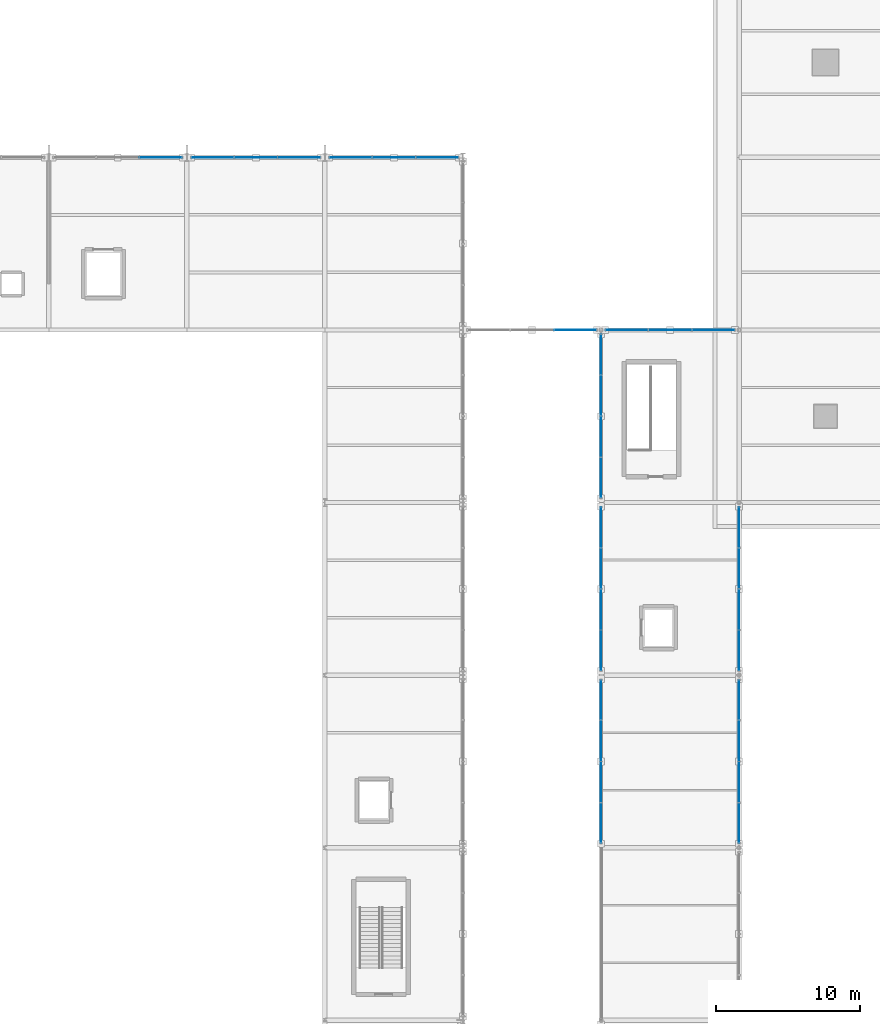
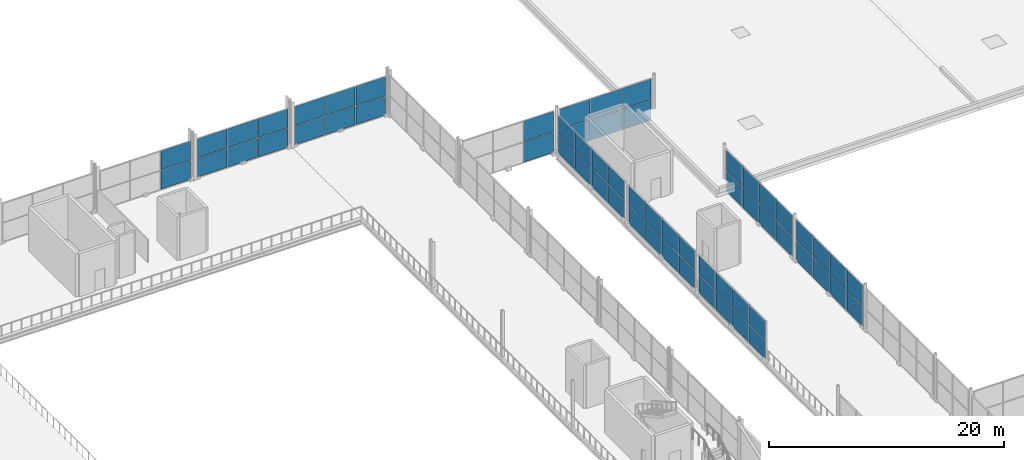
# One storey, part 124 of 159: 62 plates, 10 elements without a shape of their own.
"""IFC4 building model written with IfcOpenShell, lengths in metres."""

from ifc_helpers import new_model, si_unit, direction, frame, origin, origin_2d, place, context, subcontext, project, spatial, rectangle, extrude, material, layer, layer_set, type_object, element, aggregate, save


model = new_model("IFC4")

# Units and contexts
model_context = context("Model", 3, precision=1e-05, world=origin(), true_north=direction((0.0, 1.0)))
body_context = subcontext(model_context, "Body", "Model", "MODEL_VIEW")
ifc_project = project(units=[si_unit("LENGTHUNIT", "METRE"), si_unit("AREAUNIT", "SQUARE_METRE"), si_unit("VOLUMEUNIT", "CUBIC_METRE"), si_unit("PLANEANGLEUNIT", "RADIAN"), si_unit("MASSUNIT", "GRAM", prefix="KILO")], contexts=[model_context])

# Site, building, storey
site_placement = place(None, origin())
site = spatial("IfcSite", under=ifc_project, at=site_placement, CompositionType="ELEMENT")
building_placement = place(site_placement, origin())
building = spatial("IfcBuilding", under=site, at=building_placement, Name="Merenkruunu Market Hall", CompositionType="ELEMENT")
storey_placement = place(building_placement, frame((0.0, 0.0, 5.39990234375)))
storey = spatial("IfcBuildingStorey", under=building, at=storey_placement, Name="L01", CompositionType="ELEMENT", Elevation=5.39990234375)

# Curtain wall, plates
ifc_material_1 = material(Name="Powder-coated aluminium", Category="aluminium")
curtain_wall_type_1 = type_object("IfcCurtainWallType", Name="Glazed Curtain Wall CW03", PredefinedType="USERDEFINED", material=ifc_material_1)
curtain_wall_1_placement = place(storey_placement, origin())
curtain_wall_1 = element("IfcCurtainWall", 1, at=curtain_wall_1_placement, inside=storey, type_object=curtain_wall_type_1, Name="CW-L01-CWM03-143", ObjectType="GLAZED_FACADE", PredefinedType="USERDEFINED")
ifc_material_2 = material(Name="Triple low-E insulated glass", Category="glass")
ifc_layer_1 = layer(ifc_material_2, 0.035888671875)
ifc_layer_set_1 = layer_set([ifc_layer_1], Name="Triple low-E insulated glass")
plate_type_1 = type_object("IfcPlateType", Name="Curtain Wall Glazing Panel CWP01", PredefinedType="CURTAIN_PANEL", material=ifc_layer_set_1)
plate_1_placement = place(storey_placement, frame((65.3984375, 99.60009765625, 0.06005859375), z_axis=(0.0, 0.0, 1.0), x_axis=(1.0, 0.0, 0.0)))
plate_1 = element("IfcPlate", 2, at=plate_1_placement, type_object=plate_type_1, Name="CW03 panel 3.1", PredefinedType="CURTAIN_PANEL", context=body_context, shape_type="SweptSolid", body=[
    extrude(rectangle(XDim=2.92333984375, YDim=0.035888671875, at=origin_2d()), origin(), (0.0, 0.0, 1.0), 2.110107421875),
])
plate_2_placement = place(storey_placement, frame((65.3984375, 99.60009765625, 2.22998046875), z_axis=(0.0, 0.0, 1.0), x_axis=(1.0, 0.0, 0.0)))
plate_2 = element("IfcPlate", 3, at=plate_2_placement, type_object=plate_type_1, Name="CW03 panel 3.2", PredefinedType="CURTAIN_PANEL", context=body_context, shape_type="SweptSolid", body=[
    extrude(rectangle(XDim=2.92333984375, YDim=0.035888671875, at=origin_2d()), origin(), (0.0, 0.0, 1.0), 2.110107421875),
])
aggregate(curtain_wall_1, [plate_1, plate_2])

curtain_wall_2_placement = place(storey_placement, origin())
curtain_wall_2 = element("IfcCurtainWall", 4, at=curtain_wall_2_placement, inside=storey, type_object=curtain_wall_type_1, Name="CW-L01-CWM03-149", ObjectType="GLAZED_FACADE", PredefinedType="USERDEFINED")
plate_3_placement = place(storey_placement, frame((69.001708984375, 99.60009765625, 0.06005859375), z_axis=(0.0, 0.0, 1.0), x_axis=(1.0, 0.0, 0.0)))
plate_3 = element("IfcPlate", 5, at=plate_3_placement, type_object=plate_type_1, Name="CW03 panel 1.1", PredefinedType="CURTAIN_PANEL", context=body_context, shape_type="SweptSolid", body=[
    extrude(rectangle(XDim=2.92333984375, YDim=0.035888671875, at=origin_2d()), origin(), (0.0, 0.0, 1.0), 2.110107421875),
])
plate_4_placement = place(storey_placement, frame((69.001708984375, 99.60009765625, 2.22998046875), z_axis=(0.0, 0.0, 1.0), x_axis=(1.0, 0.0, 0.0)))
plate_4 = element("IfcPlate", 6, at=plate_4_placement, type_object=plate_type_1, Name="CW03 panel 1.2", PredefinedType="CURTAIN_PANEL", context=body_context, shape_type="SweptSolid", body=[
    extrude(rectangle(XDim=2.92333984375, YDim=0.035888671875, at=origin_2d()), origin(), (0.0, 0.0, 1.0), 2.110107421875),
])
plate_5_placement = place(storey_placement, frame((72.0, 99.60009765625, 0.06005859375), z_axis=(0.0, 0.0, 1.0), x_axis=(1.0, 0.0, 0.0)))
plate_5 = element("IfcPlate", 7, at=plate_5_placement, type_object=plate_type_1, Name="CW03 panel 2.1", PredefinedType="CURTAIN_PANEL", context=body_context, shape_type="SweptSolid", body=[
    extrude(rectangle(XDim=2.953369140625, YDim=0.035888671875, at=origin_2d()), origin(), (0.0, 0.0, 1.0), 2.110107421875),
])
plate_6_placement = place(storey_placement, frame((72.0, 99.60009765625, 2.22998046875), z_axis=(0.0, 0.0, 1.0), x_axis=(1.0, 0.0, 0.0)))
plate_6 = element("IfcPlate", 8, at=plate_6_placement, type_object=plate_type_1, Name="CW03 panel 2.2", PredefinedType="CURTAIN_PANEL", context=body_context, shape_type="SweptSolid", body=[
    extrude(rectangle(XDim=2.953369140625, YDim=0.035888671875, at=origin_2d()), origin(), (0.0, 0.0, 1.0), 2.110107421875),
])
plate_7_placement = place(storey_placement, frame((74.998291015625, 99.60009765625, 0.06005859375), z_axis=(0.0, 0.0, 1.0), x_axis=(1.0, 0.0, 0.0)))
plate_7 = element("IfcPlate", 9, at=plate_7_placement, type_object=plate_type_1, Name="CW03 panel 3.1", PredefinedType="CURTAIN_PANEL", context=body_context, shape_type="SweptSolid", body=[
    extrude(rectangle(XDim=2.92333984375, YDim=0.035888671875, at=origin_2d()), origin(), (0.0, 0.0, 1.0), 2.110107421875),
])
plate_8_placement = place(storey_placement, frame((74.998291015625, 99.60009765625, 2.22998046875), z_axis=(0.0, 0.0, 1.0), x_axis=(1.0, 0.0, 0.0)))
plate_8 = element("IfcPlate", 10, at=plate_8_placement, type_object=plate_type_1, Name="CW03 panel 3.2", PredefinedType="CURTAIN_PANEL", context=body_context, shape_type="SweptSolid", body=[
    extrude(rectangle(XDim=2.92333984375, YDim=0.035888671875, at=origin_2d()), origin(), (0.0, 0.0, 1.0), 2.110107421875),
])
aggregate(curtain_wall_2, [plate_3, plate_4, plate_5, plate_6, plate_7, plate_8])

curtain_wall_type_2 = type_object("IfcCurtainWallType", Name="Glazed Curtain Wall CW09", PredefinedType="USERDEFINED", material=ifc_material_1)
curtain_wall_3_placement = place(storey_placement, origin())
curtain_wall_3 = element("IfcCurtainWall", 11, at=curtain_wall_3_placement, inside=storey, type_object=curtain_wall_type_2, Name="CW-L01-CWM02-060", ObjectType="GLAZED_FACADE", PredefinedType="USERDEFINED")
ifc_layer_2 = layer(ifc_material_2, 0.035888671875)
ifc_layer_set_2 = layer_set([ifc_layer_2], Name="Triple low-E insulated glass")
plate_type_2 = type_object("IfcPlateType", Name="Curtain Wall Glazing Panel CWP02", PredefinedType="CURTAIN_PANEL", material=ifc_layer_set_2)
plate_9_placement = place(storey_placement, frame((36.598388671875, 111.60009765625, 0.06005859375), z_axis=(0.0, 0.0, 1.0), x_axis=(1.0, 0.0, 0.0)))
plate_9 = element("IfcPlate", 12, at=plate_9_placement, type_object=plate_type_2, Name="CW09 panel 3.1", PredefinedType="CURTAIN_PANEL", context=body_context, shape_type="SweptSolid", body=[
    extrude(rectangle(XDim=2.92333984375, YDim=0.035888671875, at=origin_2d()), origin(), (0.0, 0.0, 1.0), 1.9599609375),
])
plate_10_placement = place(storey_placement, frame((36.598388671875, 111.60009765625, 2.080078125), z_axis=(0.0, 0.0, 1.0), x_axis=(1.0, 0.0, 0.0)))
plate_10 = element("IfcPlate", 13, at=plate_10_placement, type_object=plate_type_2, Name="CW09 panel 3.2", PredefinedType="CURTAIN_PANEL", context=body_context, shape_type="SweptSolid", body=[
    extrude(rectangle(XDim=2.92333984375, YDim=0.035888671875, at=origin_2d()), origin(), (0.0, 0.0, 1.0), 1.9599609375),
])
aggregate(curtain_wall_3, [plate_9, plate_10])

curtain_wall_4_placement = place(storey_placement, origin())
curtain_wall_4 = element("IfcCurtainWall", 14, at=curtain_wall_4_placement, inside=storey, type_object=curtain_wall_type_2, Name="CW-L01-CWM02-063", ObjectType="GLAZED_FACADE", PredefinedType="USERDEFINED")
plate_11_placement = place(storey_placement, frame((40.20166015625, 111.60009765625, 0.06005859375), z_axis=(0.0, 0.0, 1.0), x_axis=(1.0, 0.0, 0.0)))
plate_11 = element("IfcPlate", 15, at=plate_11_placement, type_object=plate_type_2, Name="CW09 panel 1.1", PredefinedType="CURTAIN_PANEL", context=body_context, shape_type="SweptSolid", body=[
    extrude(rectangle(XDim=2.92333984375, YDim=0.035888671875, at=origin_2d()), origin(), (0.0, 0.0, 1.0), 1.9599609375),
])
plate_12_placement = place(storey_placement, frame((40.20166015625, 111.60009765625, 2.080078125), z_axis=(0.0, 0.0, 1.0), x_axis=(1.0, 0.0, 0.0)))
plate_12 = element("IfcPlate", 16, at=plate_12_placement, type_object=plate_type_2, Name="CW09 panel 1.2", PredefinedType="CURTAIN_PANEL", context=body_context, shape_type="SweptSolid", body=[
    extrude(rectangle(XDim=2.92333984375, YDim=0.035888671875, at=origin_2d()), origin(), (0.0, 0.0, 1.0), 1.9599609375),
])
plate_13_placement = place(storey_placement, frame((43.199951171875, 111.60009765625, 0.06005859375), z_axis=(0.0, 0.0, 1.0), x_axis=(1.0, 0.0, 0.0)))
plate_13 = element("IfcPlate", 17, at=plate_13_placement, type_object=plate_type_2, Name="CW09 panel 2.1", PredefinedType="CURTAIN_PANEL", context=body_context, shape_type="SweptSolid", body=[
    extrude(rectangle(XDim=2.953369140625, YDim=0.035888671875, at=origin_2d()), origin(), (0.0, 0.0, 1.0), 1.9599609375),
])
plate_14_placement = place(storey_placement, frame((43.199951171875, 111.60009765625, 2.080078125), z_axis=(0.0, 0.0, 1.0), x_axis=(1.0, 0.0, 0.0)))
plate_14 = element("IfcPlate", 18, at=plate_14_placement, type_object=plate_type_2, Name="CW09 panel 2.2", PredefinedType="CURTAIN_PANEL", context=body_context, shape_type="SweptSolid", body=[
    extrude(rectangle(XDim=2.953369140625, YDim=0.035888671875, at=origin_2d()), origin(), (0.0, 0.0, 1.0), 1.9599609375),
])
plate_15_placement = place(storey_placement, frame((46.1982421875, 111.60009765625, 0.06005859375), z_axis=(0.0, 0.0, 1.0), x_axis=(1.0, 0.0, 0.0)))
plate_15 = element("IfcPlate", 19, at=plate_15_placement, type_object=plate_type_2, Name="CW09 panel 3.1", PredefinedType="CURTAIN_PANEL", context=body_context, shape_type="SweptSolid", body=[
    extrude(rectangle(XDim=2.92333984375, YDim=0.035888671875, at=origin_2d()), origin(), (0.0, 0.0, 1.0), 1.9599609375),
])
plate_16_placement = place(storey_placement, frame((46.1982421875, 111.60009765625, 2.080078125), z_axis=(0.0, 0.0, 1.0), x_axis=(1.0, 0.0, 0.0)))
plate_16 = element("IfcPlate", 20, at=plate_16_placement, type_object=plate_type_2, Name="CW09 panel 3.2", PredefinedType="CURTAIN_PANEL", context=body_context, shape_type="SweptSolid", body=[
    extrude(rectangle(XDim=2.92333984375, YDim=0.035888671875, at=origin_2d()), origin(), (0.0, 0.0, 1.0), 1.9599609375),
])
aggregate(curtain_wall_4, [plate_11, plate_12, plate_13, plate_14, plate_15, plate_16])

curtain_wall_5_placement = place(storey_placement, origin())
curtain_wall_5 = element("IfcCurtainWall", 21, at=curtain_wall_5_placement, inside=storey, type_object=curtain_wall_type_2, Name="CW-L01-CWM02-065", ObjectType="GLAZED_FACADE", PredefinedType="USERDEFINED")
plate_17_placement = place(storey_placement, frame((49.8017578125, 111.60009765625, 0.06005859375), z_axis=(0.0, 0.0, 1.0), x_axis=(1.0, 0.0, 0.0)))
plate_17 = element("IfcPlate", 22, at=plate_17_placement, type_object=plate_type_2, Name="CW09 panel 1.1", PredefinedType="CURTAIN_PANEL", context=body_context, shape_type="SweptSolid", body=[
    extrude(rectangle(XDim=2.92333984375, YDim=0.035888671875, at=origin_2d()), origin(), (0.0, 0.0, 1.0), 1.9599609375),
])
plate_18_placement = place(storey_placement, frame((49.8017578125, 111.60009765625, 2.080078125), z_axis=(0.0, 0.0, 1.0), x_axis=(1.0, 0.0, 0.0)))
plate_18 = element("IfcPlate", 23, at=plate_18_placement, type_object=plate_type_2, Name="CW09 panel 1.2", PredefinedType="CURTAIN_PANEL", context=body_context, shape_type="SweptSolid", body=[
    extrude(rectangle(XDim=2.92333984375, YDim=0.035888671875, at=origin_2d()), origin(), (0.0, 0.0, 1.0), 1.9599609375),
])
plate_19_placement = place(storey_placement, frame((52.800048828125, 111.60009765625, 0.06005859375), z_axis=(0.0, 0.0, 1.0), x_axis=(1.0, 0.0, 0.0)))
plate_19 = element("IfcPlate", 24, at=plate_19_placement, type_object=plate_type_2, Name="CW09 panel 2.1", PredefinedType="CURTAIN_PANEL", context=body_context, shape_type="SweptSolid", body=[
    extrude(rectangle(XDim=2.953369140625, YDim=0.035888671875, at=origin_2d()), origin(), (0.0, 0.0, 1.0), 1.9599609375),
])
plate_20_placement = place(storey_placement, frame((52.800048828125, 111.60009765625, 2.080078125), z_axis=(0.0, 0.0, 1.0), x_axis=(1.0, 0.0, 0.0)))
plate_20 = element("IfcPlate", 25, at=plate_20_placement, type_object=plate_type_2, Name="CW09 panel 2.2", PredefinedType="CURTAIN_PANEL", context=body_context, shape_type="SweptSolid", body=[
    extrude(rectangle(XDim=2.953369140625, YDim=0.035888671875, at=origin_2d()), origin(), (0.0, 0.0, 1.0), 1.9599609375),
])
plate_21_placement = place(storey_placement, frame((55.79833984375, 111.60009765625, 0.06005859375), z_axis=(0.0, 0.0, 1.0), x_axis=(1.0, 0.0, 0.0)))
plate_21 = element("IfcPlate", 26, at=plate_21_placement, type_object=plate_type_2, Name="CW09 panel 3.1", PredefinedType="CURTAIN_PANEL", context=body_context, shape_type="SweptSolid", body=[
    extrude(rectangle(XDim=2.92333984375, YDim=0.035888671875, at=origin_2d()), origin(), (0.0, 0.0, 1.0), 1.9599609375),
])
plate_22_placement = place(storey_placement, frame((55.79833984375, 111.60009765625, 2.080078125), z_axis=(0.0, 0.0, 1.0), x_axis=(1.0, 0.0, 0.0)))
plate_22 = element("IfcPlate", 27, at=plate_22_placement, type_object=plate_type_2, Name="CW09 panel 3.2", PredefinedType="CURTAIN_PANEL", context=body_context, shape_type="SweptSolid", body=[
    extrude(rectangle(XDim=2.92333984375, YDim=0.035888671875, at=origin_2d()), origin(), (0.0, 0.0, 1.0), 1.9599609375),
])
aggregate(curtain_wall_5, [plate_17, plate_18, plate_19, plate_20, plate_21, plate_22])

curtain_wall_type_3 = type_object("IfcCurtainWallType", Name="Glazed Curtain Wall CW11", PredefinedType="USERDEFINED", material=ifc_material_1)
curtain_wall_6_placement = place(storey_placement, origin())
curtain_wall_6 = element("IfcCurtainWall", 28, at=curtain_wall_6_placement, inside=storey, type_object=curtain_wall_type_3, Name="CW-L01-CWM03-163", ObjectType="GLAZED_FACADE", PredefinedType="USERDEFINED")
ifc_layer_3 = layer(ifc_material_2, 0.0380859375)
ifc_layer_set_3 = layer_set([ifc_layer_3], Name="Triple low-E insulated glass")
plate_type_3 = type_object("IfcPlateType", Name="Curtain Wall Glazing Panel CWP04", PredefinedType="CURTAIN_PANEL", material=ifc_layer_set_3)
plate_23_placement = place(storey_placement, frame((76.800048828125, 73.875, 0.06005859375), z_axis=(0.0, 0.0, 1.0), x_axis=(0.0, -1.0, 0.0)))
plate_23 = element("IfcPlate", 29, at=plate_23_placement, type_object=plate_type_3, Name="CW11 panel 1.1", PredefinedType="CURTAIN_PANEL", context=body_context, shape_type="SweptSolid", body=[
    extrude(rectangle(XDim=2.77001953125, YDim=0.0380859375, at=origin_2d()), origin(), (0.0, 0.0, 1.0), 2.110107421875),
])
plate_24_placement = place(storey_placement, frame((76.800048828125, 73.875, 2.22998046875), z_axis=(0.0, 0.0, 1.0), x_axis=(0.0, -1.0, 0.0)))
plate_24 = element("IfcPlate", 30, at=plate_24_placement, type_object=plate_type_3, Name="CW11 panel 1.2", PredefinedType="CURTAIN_PANEL", context=body_context, shape_type="SweptSolid", body=[
    extrude(rectangle(XDim=2.77001953125, YDim=0.0380859375, at=origin_2d()), origin(), (0.0, 0.0, 1.0), 2.110107421875),
])
plate_25_placement = place(storey_placement, frame((76.800048828125, 71.030029296875, 0.06005859375), z_axis=(0.0, 0.0, 1.0), x_axis=(0.0, -1.0, 0.0)))
plate_25 = element("IfcPlate", 31, at=plate_25_placement, type_object=plate_type_3, Name="CW11 panel 2.1", PredefinedType="CURTAIN_PANEL", context=body_context, shape_type="SweptSolid", body=[
    extrude(rectangle(XDim=2.800048828125, YDim=0.0380859375, at=origin_2d()), origin(), (0.0, 0.0, 1.0), 2.110107421875),
])
plate_26_placement = place(storey_placement, frame((76.800048828125, 71.030029296875, 2.22998046875), z_axis=(0.0, 0.0, 1.0), x_axis=(0.0, -1.0, 0.0)))
plate_26 = element("IfcPlate", 32, at=plate_26_placement, type_object=plate_type_3, Name="CW11 panel 2.2", PredefinedType="CURTAIN_PANEL", context=body_context, shape_type="SweptSolid", body=[
    extrude(rectangle(XDim=2.800048828125, YDim=0.0380859375, at=origin_2d()), origin(), (0.0, 0.0, 1.0), 2.110107421875),
])
plate_27_placement = place(storey_placement, frame((76.800048828125, 68.169921875, 0.06005859375), z_axis=(0.0, 0.0, 1.0), x_axis=(0.0, -1.0, 0.0)))
plate_27 = element("IfcPlate", 33, at=plate_27_placement, type_object=plate_type_3, Name="CW11 panel 3.1", PredefinedType="CURTAIN_PANEL", context=body_context, shape_type="SweptSolid", body=[
    extrude(rectangle(XDim=2.800048828125, YDim=0.0380859375, at=origin_2d()), origin(), (0.0, 0.0, 1.0), 2.110107421875),
])
plate_28_placement = place(storey_placement, frame((76.800048828125, 68.169921875, 2.22998046875), z_axis=(0.0, 0.0, 1.0), x_axis=(0.0, -1.0, 0.0)))
plate_28 = element("IfcPlate", 34, at=plate_28_placement, type_object=plate_type_3, Name="CW11 panel 3.2", PredefinedType="CURTAIN_PANEL", context=body_context, shape_type="SweptSolid", body=[
    extrude(rectangle(XDim=2.800048828125, YDim=0.0380859375, at=origin_2d()), origin(), (0.0, 0.0, 1.0), 2.110107421875),
])
plate_29_placement = place(storey_placement, frame((76.800048828125, 65.324951171875, 0.06005859375), z_axis=(0.0, 0.0, 1.0), x_axis=(0.0, -1.0, 0.0)))
plate_29 = element("IfcPlate", 35, at=plate_29_placement, type_object=plate_type_3, Name="CW11 panel 4.1", PredefinedType="CURTAIN_PANEL", context=body_context, shape_type="SweptSolid", body=[
    extrude(rectangle(XDim=2.77001953125, YDim=0.0380859375, at=origin_2d()), origin(), (0.0, 0.0, 1.0), 2.110107421875),
])
plate_30_placement = place(storey_placement, frame((76.800048828125, 65.324951171875, 2.22998046875), z_axis=(0.0, 0.0, 1.0), x_axis=(0.0, -1.0, 0.0)))
plate_30 = element("IfcPlate", 36, at=plate_30_placement, type_object=plate_type_3, Name="CW11 panel 4.2", PredefinedType="CURTAIN_PANEL", context=body_context, shape_type="SweptSolid", body=[
    extrude(rectangle(XDim=2.77001953125, YDim=0.0380859375, at=origin_2d()), origin(), (0.0, 0.0, 1.0), 2.110107421875),
])
aggregate(curtain_wall_6, [plate_23, plate_24, plate_25, plate_26, plate_27, plate_28, plate_29, plate_30])

curtain_wall_7_placement = place(storey_placement, origin())
curtain_wall_7 = element("IfcCurtainWall", 37, at=curtain_wall_7_placement, inside=storey, type_object=curtain_wall_type_3, Name="CW-L01-CWM03-166", ObjectType="GLAZED_FACADE", PredefinedType="USERDEFINED")
plate_31_placement = place(storey_placement, frame((76.800048828125, 85.875, 0.06005859375), z_axis=(0.0, 0.0, 1.0), x_axis=(0.0, -1.0, 0.0)))
plate_31 = element("IfcPlate", 38, at=plate_31_placement, type_object=plate_type_3, Name="CW11 panel 1.1", PredefinedType="CURTAIN_PANEL", context=body_context, shape_type="SweptSolid", body=[
    extrude(rectangle(XDim=2.77001953125, YDim=0.0380859375, at=origin_2d()), origin(), (0.0, 0.0, 1.0), 2.110107421875),
])
plate_32_placement = place(storey_placement, frame((76.800048828125, 85.875, 2.22998046875), z_axis=(0.0, 0.0, 1.0), x_axis=(0.0, -1.0, 0.0)))
plate_32 = element("IfcPlate", 39, at=plate_32_placement, type_object=plate_type_3, Name="CW11 panel 1.2", PredefinedType="CURTAIN_PANEL", context=body_context, shape_type="SweptSolid", body=[
    extrude(rectangle(XDim=2.77001953125, YDim=0.0380859375, at=origin_2d()), origin(), (0.0, 0.0, 1.0), 2.110107421875),
])
plate_33_placement = place(storey_placement, frame((76.800048828125, 83.030029296875, 0.06005859375), z_axis=(0.0, 0.0, 1.0), x_axis=(0.0, -1.0, 0.0)))
plate_33 = element("IfcPlate", 40, at=plate_33_placement, type_object=plate_type_3, Name="CW11 panel 2.1", PredefinedType="CURTAIN_PANEL", context=body_context, shape_type="SweptSolid", body=[
    extrude(rectangle(XDim=2.800048828125, YDim=0.0380859375, at=origin_2d()), origin(), (0.0, 0.0, 1.0), 2.110107421875),
])
plate_34_placement = place(storey_placement, frame((76.800048828125, 83.030029296875, 2.22998046875), z_axis=(0.0, 0.0, 1.0), x_axis=(0.0, -1.0, 0.0)))
plate_34 = element("IfcPlate", 41, at=plate_34_placement, type_object=plate_type_3, Name="CW11 panel 2.2", PredefinedType="CURTAIN_PANEL", context=body_context, shape_type="SweptSolid", body=[
    extrude(rectangle(XDim=2.800048828125, YDim=0.0380859375, at=origin_2d()), origin(), (0.0, 0.0, 1.0), 2.110107421875),
])
plate_35_placement = place(storey_placement, frame((76.800048828125, 80.169921875, 0.06005859375), z_axis=(0.0, 0.0, 1.0), x_axis=(0.0, -1.0, 0.0)))
plate_35 = element("IfcPlate", 42, at=plate_35_placement, type_object=plate_type_3, Name="CW11 panel 3.1", PredefinedType="CURTAIN_PANEL", context=body_context, shape_type="SweptSolid", body=[
    extrude(rectangle(XDim=2.800048828125, YDim=0.0380859375, at=origin_2d()), origin(), (0.0, 0.0, 1.0), 2.110107421875),
])
plate_36_placement = place(storey_placement, frame((76.800048828125, 80.169921875, 2.22998046875), z_axis=(0.0, 0.0, 1.0), x_axis=(0.0, -1.0, 0.0)))
plate_36 = element("IfcPlate", 43, at=plate_36_placement, type_object=plate_type_3, Name="CW11 panel 3.2", PredefinedType="CURTAIN_PANEL", context=body_context, shape_type="SweptSolid", body=[
    extrude(rectangle(XDim=2.800048828125, YDim=0.0380859375, at=origin_2d()), origin(), (0.0, 0.0, 1.0), 2.110107421875),
])
plate_37_placement = place(storey_placement, frame((76.800048828125, 77.324951171875, 0.06005859375), z_axis=(0.0, 0.0, 1.0), x_axis=(0.0, -1.0, 0.0)))
plate_37 = element("IfcPlate", 44, at=plate_37_placement, type_object=plate_type_3, Name="CW11 panel 4.1", PredefinedType="CURTAIN_PANEL", context=body_context, shape_type="SweptSolid", body=[
    extrude(rectangle(XDim=2.77001953125, YDim=0.0380859375, at=origin_2d()), origin(), (0.0, 0.0, 1.0), 2.110107421875),
])
plate_38_placement = place(storey_placement, frame((76.800048828125, 77.324951171875, 2.22998046875), z_axis=(0.0, 0.0, 1.0), x_axis=(0.0, -1.0, 0.0)))
plate_38 = element("IfcPlate", 45, at=plate_38_placement, type_object=plate_type_3, Name="CW11 panel 4.2", PredefinedType="CURTAIN_PANEL", context=body_context, shape_type="SweptSolid", body=[
    extrude(rectangle(XDim=2.77001953125, YDim=0.0380859375, at=origin_2d()), origin(), (0.0, 0.0, 1.0), 2.110107421875),
])
aggregate(curtain_wall_7, [plate_31, plate_32, plate_33, plate_34, plate_35, plate_36, plate_37, plate_38])

curtain_wall_type_4 = type_object("IfcCurtainWallType", Name="Glazed Curtain Wall CW16", PredefinedType="USERDEFINED", material=ifc_material_1)
curtain_wall_8_placement = place(storey_placement, origin())
curtain_wall_8 = element("IfcCurtainWall", 46, at=curtain_wall_8_placement, inside=storey, type_object=curtain_wall_type_4, Name="CW-L01-CWM02-175", ObjectType="GLAZED_FACADE", PredefinedType="USERDEFINED")
ifc_layer_4 = layer(ifc_material_2, 0.0380859375)
ifc_layer_set_4 = layer_set([ifc_layer_4], Name="Triple low-E insulated glass")
plate_type_4 = type_object("IfcPlateType", Name="Curtain Wall Glazing Panel CWP10", PredefinedType="CURTAIN_PANEL", material=ifc_layer_set_4)
plate_39_placement = place(storey_placement, frame((67.199951171875, 65.324951171875, 0.06005859375), z_axis=(0.0, 0.0, 1.0), x_axis=(0.0, 1.0, 0.0)))
plate_39 = element("IfcPlate", 47, at=plate_39_placement, type_object=plate_type_4, Name="CW16 panel 1.1", PredefinedType="CURTAIN_PANEL", context=body_context, shape_type="SweptSolid", body=[
    extrude(rectangle(XDim=2.77001953125, YDim=0.0380859375, at=origin_2d()), origin(), (0.0, 0.0, 1.0), 1.93505859375),
])
plate_40_placement = place(storey_placement, frame((67.199951171875, 65.324951171875, 2.05517578125), z_axis=(0.0, 0.0, 1.0), x_axis=(0.0, 1.0, 0.0)))
plate_40 = element("IfcPlate", 48, at=plate_40_placement, type_object=plate_type_4, Name="CW16 panel 1.2", PredefinedType="CURTAIN_PANEL", context=body_context, shape_type="SweptSolid", body=[
    extrude(rectangle(XDim=2.77001953125, YDim=0.0380859375, at=origin_2d()), origin(), (0.0, 0.0, 1.0), 1.93505859375),
])
plate_41_placement = place(storey_placement, frame((67.199951171875, 68.169921875, 0.06005859375), z_axis=(0.0, 0.0, 1.0), x_axis=(0.0, 1.0, 0.0)))
plate_41 = element("IfcPlate", 49, at=plate_41_placement, type_object=plate_type_4, Name="CW16 panel 2.1", PredefinedType="CURTAIN_PANEL", context=body_context, shape_type="SweptSolid", body=[
    extrude(rectangle(XDim=2.800048828125, YDim=0.0380859375, at=origin_2d()), origin(), (0.0, 0.0, 1.0), 1.93505859375),
])
plate_42_placement = place(storey_placement, frame((67.199951171875, 68.169921875, 2.05517578125), z_axis=(0.0, 0.0, 1.0), x_axis=(0.0, 1.0, 0.0)))
plate_42 = element("IfcPlate", 50, at=plate_42_placement, type_object=plate_type_4, Name="CW16 panel 2.2", PredefinedType="CURTAIN_PANEL", context=body_context, shape_type="SweptSolid", body=[
    extrude(rectangle(XDim=2.800048828125, YDim=0.0380859375, at=origin_2d()), origin(), (0.0, 0.0, 1.0), 1.93505859375),
])
plate_43_placement = place(storey_placement, frame((67.199951171875, 71.030029296875, 0.06005859375), z_axis=(0.0, 0.0, 1.0), x_axis=(0.0, 1.0, 0.0)))
plate_43 = element("IfcPlate", 51, at=plate_43_placement, type_object=plate_type_4, Name="CW16 panel 3.1", PredefinedType="CURTAIN_PANEL", context=body_context, shape_type="SweptSolid", body=[
    extrude(rectangle(XDim=2.800048828125, YDim=0.0380859375, at=origin_2d()), origin(), (0.0, 0.0, 1.0), 1.93505859375),
])
plate_44_placement = place(storey_placement, frame((67.199951171875, 71.030029296875, 2.05517578125), z_axis=(0.0, 0.0, 1.0), x_axis=(0.0, 1.0, 0.0)))
plate_44 = element("IfcPlate", 52, at=plate_44_placement, type_object=plate_type_4, Name="CW16 panel 3.2", PredefinedType="CURTAIN_PANEL", context=body_context, shape_type="SweptSolid", body=[
    extrude(rectangle(XDim=2.800048828125, YDim=0.0380859375, at=origin_2d()), origin(), (0.0, 0.0, 1.0), 1.93505859375),
])
plate_45_placement = place(storey_placement, frame((67.199951171875, 73.875, 0.06005859375), z_axis=(0.0, 0.0, 1.0), x_axis=(0.0, 1.0, 0.0)))
plate_45 = element("IfcPlate", 53, at=plate_45_placement, type_object=plate_type_4, Name="CW16 panel 4.1", PredefinedType="CURTAIN_PANEL", context=body_context, shape_type="SweptSolid", body=[
    extrude(rectangle(XDim=2.77001953125, YDim=0.0380859375, at=origin_2d()), origin(), (0.0, 0.0, 1.0), 1.93505859375),
])
plate_46_placement = place(storey_placement, frame((67.199951171875, 73.875, 2.05517578125), z_axis=(0.0, 0.0, 1.0), x_axis=(0.0, 1.0, 0.0)))
plate_46 = element("IfcPlate", 54, at=plate_46_placement, type_object=plate_type_4, Name="CW16 panel 4.2", PredefinedType="CURTAIN_PANEL", context=body_context, shape_type="SweptSolid", body=[
    extrude(rectangle(XDim=2.77001953125, YDim=0.0380859375, at=origin_2d()), origin(), (0.0, 0.0, 1.0), 1.93505859375),
])
aggregate(curtain_wall_8, [plate_39, plate_40, plate_41, plate_42, plate_43, plate_44, plate_45, plate_46])

curtain_wall_9_placement = place(storey_placement, origin())
curtain_wall_9 = element("IfcCurtainWall", 55, at=curtain_wall_9_placement, inside=storey, type_object=curtain_wall_type_4, Name="CW-L01-CWM02-177", ObjectType="GLAZED_FACADE", PredefinedType="USERDEFINED")
plate_47_placement = place(storey_placement, frame((67.199951171875, 77.324951171875, 0.06005859375), z_axis=(0.0, 0.0, 1.0), x_axis=(0.0, 1.0, 0.0)))
plate_47 = element("IfcPlate", 56, at=plate_47_placement, type_object=plate_type_4, Name="CW16 panel 1.1", PredefinedType="CURTAIN_PANEL", context=body_context, shape_type="SweptSolid", body=[
    extrude(rectangle(XDim=2.77001953125, YDim=0.0380859375, at=origin_2d()), origin(), (0.0, 0.0, 1.0), 1.93505859375),
])
plate_48_placement = place(storey_placement, frame((67.199951171875, 77.324951171875, 2.05517578125), z_axis=(0.0, 0.0, 1.0), x_axis=(0.0, 1.0, 0.0)))
plate_48 = element("IfcPlate", 57, at=plate_48_placement, type_object=plate_type_4, Name="CW16 panel 1.2", PredefinedType="CURTAIN_PANEL", context=body_context, shape_type="SweptSolid", body=[
    extrude(rectangle(XDim=2.77001953125, YDim=0.0380859375, at=origin_2d()), origin(), (0.0, 0.0, 1.0), 1.93505859375),
])
plate_49_placement = place(storey_placement, frame((67.199951171875, 80.169921875, 0.06005859375), z_axis=(0.0, 0.0, 1.0), x_axis=(0.0, 1.0, 0.0)))
plate_49 = element("IfcPlate", 58, at=plate_49_placement, type_object=plate_type_4, Name="CW16 panel 2.1", PredefinedType="CURTAIN_PANEL", context=body_context, shape_type="SweptSolid", body=[
    extrude(rectangle(XDim=2.800048828125, YDim=0.0380859375, at=origin_2d()), origin(), (0.0, 0.0, 1.0), 1.93505859375),
])
plate_50_placement = place(storey_placement, frame((67.199951171875, 80.169921875, 2.05517578125), z_axis=(0.0, 0.0, 1.0), x_axis=(0.0, 1.0, 0.0)))
plate_50 = element("IfcPlate", 59, at=plate_50_placement, type_object=plate_type_4, Name="CW16 panel 2.2", PredefinedType="CURTAIN_PANEL", context=body_context, shape_type="SweptSolid", body=[
    extrude(rectangle(XDim=2.800048828125, YDim=0.0380859375, at=origin_2d()), origin(), (0.0, 0.0, 1.0), 1.93505859375),
])
plate_51_placement = place(storey_placement, frame((67.199951171875, 83.030029296875, 0.06005859375), z_axis=(0.0, 0.0, 1.0), x_axis=(0.0, 1.0, 0.0)))
plate_51 = element("IfcPlate", 60, at=plate_51_placement, type_object=plate_type_4, Name="CW16 panel 3.1", PredefinedType="CURTAIN_PANEL", context=body_context, shape_type="SweptSolid", body=[
    extrude(rectangle(XDim=2.800048828125, YDim=0.0380859375, at=origin_2d()), origin(), (0.0, 0.0, 1.0), 1.93505859375),
])
plate_52_placement = place(storey_placement, frame((67.199951171875, 83.030029296875, 2.05517578125), z_axis=(0.0, 0.0, 1.0), x_axis=(0.0, 1.0, 0.0)))
plate_52 = element("IfcPlate", 61, at=plate_52_placement, type_object=plate_type_4, Name="CW16 panel 3.2", PredefinedType="CURTAIN_PANEL", context=body_context, shape_type="SweptSolid", body=[
    extrude(rectangle(XDim=2.800048828125, YDim=0.0380859375, at=origin_2d()), origin(), (0.0, 0.0, 1.0), 1.93505859375),
])
plate_53_placement = place(storey_placement, frame((67.199951171875, 85.875, 0.06005859375), z_axis=(0.0, 0.0, 1.0), x_axis=(0.0, 1.0, 0.0)))
plate_53 = element("IfcPlate", 62, at=plate_53_placement, type_object=plate_type_4, Name="CW16 panel 4.1", PredefinedType="CURTAIN_PANEL", context=body_context, shape_type="SweptSolid", body=[
    extrude(rectangle(XDim=2.77001953125, YDim=0.0380859375, at=origin_2d()), origin(), (0.0, 0.0, 1.0), 1.93505859375),
])
plate_54_placement = place(storey_placement, frame((67.199951171875, 85.875, 2.05517578125), z_axis=(0.0, 0.0, 1.0), x_axis=(0.0, 1.0, 0.0)))
plate_54 = element("IfcPlate", 63, at=plate_54_placement, type_object=plate_type_4, Name="CW16 panel 4.2", PredefinedType="CURTAIN_PANEL", context=body_context, shape_type="SweptSolid", body=[
    extrude(rectangle(XDim=2.77001953125, YDim=0.0380859375, at=origin_2d()), origin(), (0.0, 0.0, 1.0), 1.93505859375),
])
aggregate(curtain_wall_9, [plate_47, plate_48, plate_49, plate_50, plate_51, plate_52, plate_53, plate_54])

curtain_wall_10_placement = place(storey_placement, origin())
curtain_wall_10 = element("IfcCurtainWall", 64, at=curtain_wall_10_placement, inside=storey, type_object=curtain_wall_type_4, Name="CW-L01-CWM02-179", ObjectType="GLAZED_FACADE", PredefinedType="USERDEFINED")
plate_55_placement = place(storey_placement, frame((67.199951171875, 89.324951171875, 0.06005859375), z_axis=(0.0, 0.0, 1.0), x_axis=(0.0, 1.0, 0.0)))
plate_55 = element("IfcPlate", 65, at=plate_55_placement, type_object=plate_type_4, Name="CW16 panel 1.1", PredefinedType="CURTAIN_PANEL", context=body_context, shape_type="SweptSolid", body=[
    extrude(rectangle(XDim=2.77001953125, YDim=0.0380859375, at=origin_2d()), origin(), (0.0, 0.0, 1.0), 1.93505859375),
])
plate_56_placement = place(storey_placement, frame((67.199951171875, 89.324951171875, 2.05517578125), z_axis=(0.0, 0.0, 1.0), x_axis=(0.0, 1.0, 0.0)))
plate_56 = element("IfcPlate", 66, at=plate_56_placement, type_object=plate_type_4, Name="CW16 panel 1.2", PredefinedType="CURTAIN_PANEL", context=body_context, shape_type="SweptSolid", body=[
    extrude(rectangle(XDim=2.77001953125, YDim=0.0380859375, at=origin_2d()), origin(), (0.0, 0.0, 1.0), 1.93505859375),
])
plate_57_placement = place(storey_placement, frame((67.199951171875, 92.169921875, 0.06005859375), z_axis=(0.0, 0.0, 1.0), x_axis=(0.0, 1.0, 0.0)))
plate_57 = element("IfcPlate", 67, at=plate_57_placement, type_object=plate_type_4, Name="CW16 panel 2.1", PredefinedType="CURTAIN_PANEL", context=body_context, shape_type="SweptSolid", body=[
    extrude(rectangle(XDim=2.800048828125, YDim=0.0380859375, at=origin_2d()), origin(), (0.0, 0.0, 1.0), 1.93505859375),
])
plate_58_placement = place(storey_placement, frame((67.199951171875, 92.169921875, 2.05517578125), z_axis=(0.0, 0.0, 1.0), x_axis=(0.0, 1.0, 0.0)))
plate_58 = element("IfcPlate", 68, at=plate_58_placement, type_object=plate_type_4, Name="CW16 panel 2.2", PredefinedType="CURTAIN_PANEL", context=body_context, shape_type="SweptSolid", body=[
    extrude(rectangle(XDim=2.800048828125, YDim=0.0380859375, at=origin_2d()), origin(), (0.0, 0.0, 1.0), 1.93505859375),
])
plate_59_placement = place(storey_placement, frame((67.199951171875, 95.030029296875, 0.06005859375), z_axis=(0.0, 0.0, 1.0), x_axis=(0.0, 1.0, 0.0)))
plate_59 = element("IfcPlate", 69, at=plate_59_placement, type_object=plate_type_4, Name="CW16 panel 3.1", PredefinedType="CURTAIN_PANEL", context=body_context, shape_type="SweptSolid", body=[
    extrude(rectangle(XDim=2.800048828125, YDim=0.0380859375, at=origin_2d()), origin(), (0.0, 0.0, 1.0), 1.93505859375),
])
plate_60_placement = place(storey_placement, frame((67.199951171875, 95.030029296875, 2.05517578125), z_axis=(0.0, 0.0, 1.0), x_axis=(0.0, 1.0, 0.0)))
plate_60 = element("IfcPlate", 70, at=plate_60_placement, type_object=plate_type_4, Name="CW16 panel 3.2", PredefinedType="CURTAIN_PANEL", context=body_context, shape_type="SweptSolid", body=[
    extrude(rectangle(XDim=2.800048828125, YDim=0.0380859375, at=origin_2d()), origin(), (0.0, 0.0, 1.0), 1.93505859375),
])
plate_61_placement = place(storey_placement, frame((67.199951171875, 97.875, 0.06005859375), z_axis=(0.0, 0.0, 1.0), x_axis=(0.0, 1.0, 0.0)))
plate_61 = element("IfcPlate", 71, at=plate_61_placement, type_object=plate_type_4, Name="CW16 panel 4.1", PredefinedType="CURTAIN_PANEL", context=body_context, shape_type="SweptSolid", body=[
    extrude(rectangle(XDim=2.77001953125, YDim=0.0380859375, at=origin_2d()), origin(), (0.0, 0.0, 1.0), 1.93505859375),
])
plate_62_placement = place(storey_placement, frame((67.199951171875, 97.875, 2.05517578125), z_axis=(0.0, 0.0, 1.0), x_axis=(0.0, 1.0, 0.0)))
plate_62 = element("IfcPlate", 72, at=plate_62_placement, type_object=plate_type_4, Name="CW16 panel 4.2", PredefinedType="CURTAIN_PANEL", context=body_context, shape_type="SweptSolid", body=[
    extrude(rectangle(XDim=2.77001953125, YDim=0.0380859375, at=origin_2d()), origin(), (0.0, 0.0, 1.0), 1.93505859375),
])
aggregate(curtain_wall_10, [plate_55, plate_56, plate_57, plate_58, plate_59, plate_60, plate_61, plate_62])

save(model, "model.ifc")
